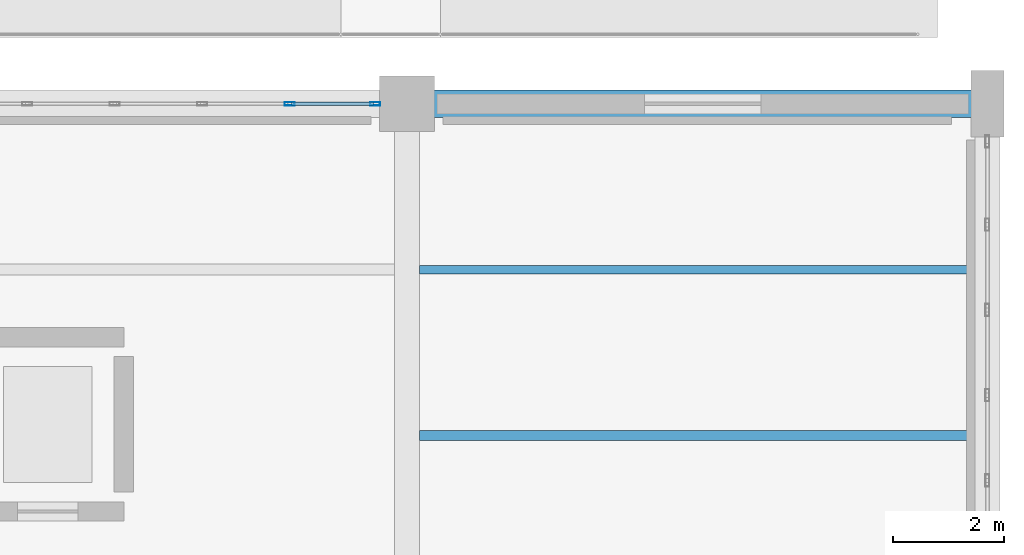
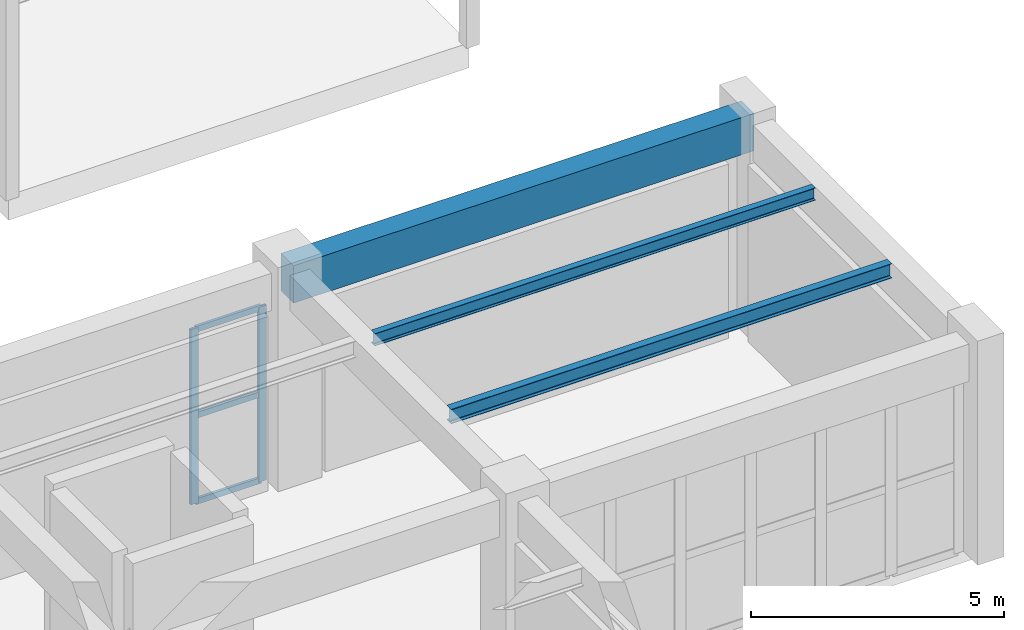
# One storey, part 84 of 140: 5 members, 3 beams, 1 element without a shape of its own.
"""IFC4 building model written with IfcOpenShell, lengths in metres."""

import ifcopenshell
import ifcopenshell.guid

model = None  # the IFC model being written
_history = None  # IfcOwnerHistory: only IFC2X3 demands one
_inside = {}  # id of a spatial element -> (the spatial element, [elements in it])
_under = {}  # id of a project, library or spatial element -> (it, [spatial elements below it])
_declared = {}  # id of a project -> (the project, [libraries it declares])
_typed = {}  # id of a type object -> (the type object, [elements of that type])
_made_of = {}  # id of a material, layer set ... -> (it, [elements and type objects made of it])


def new_model(schema):
    """Start an empty IFC model of exactly this schema.

    Asked for "IFC4X3", IfcOpenShell would pick the latest addendum, in which some entities
    have other attributes; the version numbers below select the first issue.
    IFC2X3 requires an IfcOwnerHistory on every rooted entity: one is made here for all.
    """
    global model, _history
    if schema == "IFC4X3":
        model = ifcopenshell.file(schema_version=(4, 3, 0, 0))
    else:
        model = ifcopenshell.file(schema=schema)
    _inside.clear()
    _under.clear()
    _declared.clear()
    _typed.clear()
    _made_of.clear()
    _history = None
    if model.schema == "IFC2X3":
        org = make("IfcOrganization", Name="unknown")
        user = make(
            "IfcPersonAndOrganization",
            ThePerson=make("IfcPerson", FamilyName="unknown"),
            TheOrganization=org,
        )
        app = make(
            "IfcApplication",
            ApplicationDeveloper=org,
            Version="unknown",
            ApplicationFullName="unknown",
            ApplicationIdentifier="unknown",
        )
        _history = make(
            "IfcOwnerHistory",
            OwningUser=user,
            OwningApplication=app,
            ChangeAction="ADDED",
            CreationDate=0,
        )
    return model


def make(cls, **values):
    """One entity of the class cls with the attributes given. An attribute that is None is left unset."""
    return model.create_entity(
        cls, **{name: value for name, value in values.items() if value is not None}
    )


def rooted(cls, **values):
    """An entity with a GlobalId (a new one), such as an element, a storey or a relation."""
    return make(cls, GlobalId=ifcopenshell.guid.new(), OwnerHistory=_history, **values)


def si_unit(unit_type, name, prefix=None):
    """IfcSIUnit, for example si_unit("LENGTHUNIT", "METRE", prefix="MILLI")."""
    return make("IfcSIUnit", UnitType=unit_type, Prefix=prefix, Name=name)


def assignment(units):
    """IfcUnitAssignment: the units of a project."""
    return None if units is None else make("IfcUnitAssignment", Units=units)


def point(xyz):
    """IfcCartesianPoint."""
    return None if xyz is None else make("IfcCartesianPoint", Coordinates=xyz)


def direction(xyz):
    """IfcDirection."""
    return None if xyz is None else make("IfcDirection", DirectionRatios=xyz)


def frame(location, z_axis=None, x_axis=None):
    """IfcAxis2Placement3D, a coordinate frame: its origin and axes. An axis left out is left unset."""
    return make(
        "IfcAxis2Placement3D",
        Location=point(location),
        Axis=direction(z_axis),
        RefDirection=direction(x_axis),
    )


def frame_2d(location, x_axis=None):
    """IfcAxis2Placement2D, a coordinate frame in the plane: its origin and x axis."""
    return make(
        "IfcAxis2Placement2D", Location=point(location), RefDirection=direction(x_axis)
    )


def origin():
    """The frame at (0, 0, 0) with its axes left unset."""
    return frame((0.0, 0.0, 0.0))


def origin_2d():
    """The frame at (0, 0) in the plane with its x axis left unset."""
    return frame_2d((0.0, 0.0))


def place(relative_to, where):
    """IfcLocalPlacement: puts the frame where relative to a parent placement (None: the world)."""
    return make(
        "IfcLocalPlacement", PlacementRelTo=relative_to, RelativePlacement=where
    )


def context(
    kind, dimensions, precision=None, world=None, true_north=None, identifier=None
):
    """IfcGeometricRepresentationContext, for example the 3D "Model" context."""
    return make(
        "IfcGeometricRepresentationContext",
        ContextIdentifier=identifier,
        ContextType=kind,
        CoordinateSpaceDimension=dimensions,
        Precision=precision,
        WorldCoordinateSystem=world,
        TrueNorth=true_north,
    )


def subcontext(parent, identifier, kind, view, scale=None):
    """IfcGeometricRepresentationSubContext, for example "Body" below "Model"."""
    return make(
        "IfcGeometricRepresentationSubContext",
        ContextIdentifier=identifier,
        ContextType=kind,
        ParentContext=parent,
        TargetScale=scale,
        TargetView=view,
    )


def project(units=None, contexts=None):
    """IfcProject with its units and contexts."""
    return rooted(
        "IfcProject",
        Name="project",
        RepresentationContexts=contexts,
        UnitsInContext=assignment(units),
    )


def spatial(cls, under=None, at=None, **own):
    """A site, building, storey or space (cls), placed at a placement, below another one or the project."""
    s = rooted(cls, ObjectPlacement=at, **own)
    if under is not None:
        _under.setdefault(under.id(), (under, []))[1].append(s)
    return s


def profile(cls, at=None, kind="AREA", **sizes):
    """A parametric profile (cls). Its sizes go by their IFC names, for example OverallWidth=200.0."""
    return make(cls, ProfileType=kind, Position=at, **sizes)


def rectangle(**sizes):
    """IfcRectangleProfileDef."""
    return profile("IfcRectangleProfileDef", **sizes)


def hollow_rectangle(**sizes):
    """IfcRectangleHollowProfileDef."""
    return profile("IfcRectangleHollowProfileDef", **sizes)


def i_section(**sizes):
    """IfcIShapeProfileDef."""
    return profile("IfcIShapeProfileDef", **sizes)


def extrude(swept, where, along, depth):
    """IfcExtrudedAreaSolid: the profile swept, set in the frame where, extruded along a direction by depth."""
    return make(
        "IfcExtrudedAreaSolid",
        SweptArea=swept,
        Position=where,
        ExtrudedDirection=direction(along),
        Depth=depth,
    )


def shape(context_of_items, identifier, shape_type, items):
    """IfcShapeRepresentation: the items that make up one representation, for example the "Body"."""
    return make(
        "IfcShapeRepresentation",
        ContextOfItems=context_of_items,
        RepresentationIdentifier=identifier,
        RepresentationType=shape_type,
        Items=items,
    )


def material(Name=None, Category=None):
    """IfcMaterial."""
    return make("IfcMaterial", Name=Name, Category=Category)


def material_profile(
    of_material, cross_section, Name=None, Category=None, Priority=None
):
    """IfcMaterialProfile: a cross section and its material."""
    return make(
        "IfcMaterialProfile",
        Name=Name,
        Material=of_material,
        Profile=cross_section,
        Priority=Priority,
        Category=Category,
    )


def profile_set(profiles, Name=None, composite=None):
    """IfcMaterialProfileSet."""
    return make(
        "IfcMaterialProfileSet",
        Name=Name,
        MaterialProfiles=profiles,
        CompositeProfile=composite,
    )


def made_of(thing, what):
    """Note that an element or type object is made of a material, layer set ...; save() writes the relation."""
    if what is not None:
        _made_of.setdefault(what.id(), (what, []))[1].append(thing)
    return thing


def type_object(cls, material=None, **own):
    """A type object (cls), such as IfcWallType, which elements share."""
    return made_of(rooted(cls, **own), material)


def element(
    cls,
    number,
    at=None,
    inside=None,
    cuts=None,
    type_object=None,
    material=None,
    context=None,
    identifier="Body",
    shape_type=None,
    held_by="IfcProductDefinitionShape",
    body=None,
    shapes=None,
    **own,
):
    """One element of the class cls, such as IfcWall. Its Tag is "e" and its number.

    at: its placement. inside: the storey or other place that contains it. cuts: it is an
    opening in that element (IfcRelVoidsElement). A single representation is given by context,
    identifier, shape_type and body (its items); several are given by shapes. held_by: the class
    of the entity that holds the representations. save() writes the other relations.
    """
    e = rooted(cls, Tag="e%d" % number, ObjectPlacement=at, **own)
    if body is not None:
        shapes = [shape(context, identifier, shape_type, body)]
    if shapes is not None:
        e.Representation = make(held_by, Representations=shapes)
    if inside is not None:
        _inside.setdefault(inside.id(), (inside, []))[1].append(e)
    if cuts is not None:
        rooted(
            "IfcRelVoidsElement", RelatingBuildingElement=cuts, RelatedOpeningElement=e
        )
    if type_object is not None:
        _typed.setdefault(type_object.id(), (type_object, []))[1].append(e)
    return made_of(e, material)


def aggregate(whole, parts):
    """IfcRelAggregates: a whole, such as a stair, and the parts it consists of."""
    return rooted("IfcRelAggregates", RelatingObject=whole, RelatedObjects=parts)


def save(model, path):
    """Write the relations noted so far, then the file.

    IfcRelAggregates (storeys below a building ...), IfcRelContainedInSpatialStructure (elements
    in a storey), IfcRelDefinesByType, IfcRelAssociatesMaterial and IfcRelDeclares: one each for
    every whole, place, type object, material and project.
    """
    for whole, parts in _under.values():
        aggregate(whole, parts)
    for where, things in _inside.values():
        rooted(
            "IfcRelContainedInSpatialStructure",
            RelatedElements=things,
            RelatingStructure=where,
        )
    for kind, things in _typed.values():
        rooted("IfcRelDefinesByType", RelatedObjects=things, RelatingType=kind)
    for what, things in _made_of.values():
        rooted("IfcRelAssociatesMaterial", RelatedObjects=things, RelatingMaterial=what)
    for by, libraries in _declared.values():
        rooted("IfcRelDeclares", RelatingContext=by, RelatedDefinitions=libraries)
    model.write(path)


model = new_model("IFC4")

# Units and contexts
model_context = context("Model", 3, precision=1e-05, world=origin(), true_north=direction((0.0, 1.0)))
body_context = subcontext(model_context, "Body", "Model", "MODEL_VIEW")
ifc_project = project(units=[si_unit("LENGTHUNIT", "METRE"), si_unit("AREAUNIT", "SQUARE_METRE"), si_unit("VOLUMEUNIT", "CUBIC_METRE"), si_unit("PLANEANGLEUNIT", "RADIAN"), si_unit("MASSUNIT", "GRAM", prefix="KILO")], contexts=[model_context])

# Site, building, storey
site_placement = place(None, origin())
site = spatial("IfcSite", under=ifc_project, at=site_placement, CompositionType="ELEMENT")
building_placement = place(site_placement, origin())
building = spatial("IfcBuilding", under=site, at=building_placement, Name="Haizhuo Lancet Aquarium", CompositionType="ELEMENT")
storey_placement = place(building_placement, origin())
storey = spatial("IfcBuildingStorey", under=building, at=storey_placement, Name="L00", CompositionType="ELEMENT", Elevation=0.0)

# Beam
ifc_material_1 = material(Name="Concrete C40/50", Category="concrete")
ifc_material_profile_1 = material_profile(ifc_material_1, rectangle(XDim=0.5, YDim=0.89990234375, at=origin_2d()), Name="RC-BM 500x900")
ifc_profile_set_1 = profile_set([ifc_material_profile_1], Name="Concrete C40/50")
beam_type_1 = type_object("IfcBeamType", Name="BM-RC-500x900", PredefinedType="BEAM", material=ifc_profile_set_1)
beam_1_placement = place(storey_placement, frame((72.0, -9.0, 4.669921875), z_axis=(1.0, 0.0, 0.0), x_axis=(0.0, 1.0, 0.0)))
element("IfcBeam", 1, at=beam_1_placement, inside=storey, type_object=beam_type_1, Name="L00 V3 primary girder BM-L00-V3-034", PredefinedType="BEAM", context=body_context, shape_type="SweptSolid", body=[
    extrude(rectangle(XDim=0.5, YDim=0.89990234375, at=origin_2d()), origin(), (0.0, 0.0, 1.0), 10.5),
])

# Curtain wall, members
ifc_material_2 = material(Name="Aluminium 6063-T6", Category="aluminium")
curtain_wall_type = type_object("IfcCurtainWallType", Name="CWO-7910x4220", PredefinedType="NOTDEFINED", material=ifc_material_2)
curtain_wall_placement = place(storey_placement, origin())
curtain_wall = element("IfcCurtainWall", 2, at=curtain_wall_placement, inside=storey, type_object=curtain_wall_type, Name="L00 curtain wall CW-V3-L00-031", PredefinedType="NOTDEFINED")
ifc_material_profile_2 = material_profile(ifc_material_2, hollow_rectangle(XDim=0.06494140625, YDim=0.179931640625, WallThickness=0.00390625, at=origin_2d()), Name="ALU-M 65x180x4")
ifc_profile_set_2 = profile_set([ifc_material_profile_2], Name="Aluminium 6063-T6")
member_type_1 = type_object("IfcMemberType", Name="CW-MUL-1", PredefinedType="MULLION", material=ifc_profile_set_2)
member_1_placement = place(storey_placement, frame((69.873046875, -9.0, 0.0), z_axis=(0.0, 0.0, 1.0), x_axis=(0.0, 1.0, 0.0)))
member_1 = element("IfcMember", 3, at=member_1_placement, type_object=member_type_1, Name="CWO-79x42 mullion 5", PredefinedType="MULLION", context=body_context, shape_type="SweptSolid", body=[
    extrude(hollow_rectangle(XDim=0.06494140625, YDim=0.179931640625, WallThickness=0.00390625, at=origin_2d()), origin(), (0.0, 0.0, 1.0), 4.219970703125),
])
member_2_placement = place(storey_placement, frame((71.422119140625, -9.0, 0.0), z_axis=(0.0, 0.0, 1.0), x_axis=(0.0, 1.0, 0.0)))
member_2 = element("IfcMember", 4, at=member_2_placement, type_object=member_type_1, Name="CWO-79x42 mullion 6", PredefinedType="MULLION", context=body_context, shape_type="SweptSolid", body=[
    extrude(hollow_rectangle(XDim=0.06494140625, YDim=0.179931640625, WallThickness=0.00390625, at=origin_2d()), origin(), (0.0, 0.0, 1.0), 4.219970703125),
])
ifc_material_profile_3 = material_profile(ifc_material_2, hollow_rectangle(XDim=0.06494140625, YDim=0.139892578125, WallThickness=0.00390625, at=origin_2d()), Name="ALU-T 65x140x4")
ifc_profile_set_3 = profile_set([ifc_material_profile_3], Name="Aluminium 6063-T6")
member_type_2 = type_object("IfcMemberType", Name="CW-TRN-1", PredefinedType="NOTDEFINED", material=ifc_profile_set_3)
member_3_placement = place(storey_placement, frame((69.906005859375, -9.0, 0.032958984375), z_axis=(1.0, 0.0, 0.0), x_axis=(0.0, 1.0, 0.0)))
member_3 = element("IfcMember", 5, at=member_3_placement, type_object=member_type_2, Name="CWO-79x42 transom 5.1", ObjectType="TRANSOM", PredefinedType="USERDEFINED", context=body_context, shape_type="SweptSolid", body=[
    extrude(hollow_rectangle(XDim=0.06494140625, YDim=0.139892578125, WallThickness=0.00390625, at=origin_2d()), origin(), (0.0, 0.0, 1.0), 1.48388671875),
])
member_4_placement = place(storey_placement, frame((69.906005859375, -9.0, 2.110107421875), z_axis=(1.0, 0.0, 0.0), x_axis=(0.0, 1.0, 0.0)))
member_4 = element("IfcMember", 6, at=member_4_placement, type_object=member_type_2, Name="CWO-79x42 transom 5.2", ObjectType="TRANSOM", PredefinedType="USERDEFINED", context=body_context, shape_type="SweptSolid", body=[
    extrude(hollow_rectangle(XDim=0.06494140625, YDim=0.139892578125, WallThickness=0.00390625, at=origin_2d()), origin(), (0.0, 0.0, 1.0), 1.48388671875),
])
member_5_placement = place(storey_placement, frame((69.906005859375, -9.0, 4.18798828125), z_axis=(1.0, 0.0, 0.0), x_axis=(0.0, 1.0, 0.0)))
member_5 = element("IfcMember", 7, at=member_5_placement, type_object=member_type_2, Name="CWO-79x42 transom 5.3", ObjectType="TRANSOM", PredefinedType="USERDEFINED", context=body_context, shape_type="SweptSolid", body=[
    extrude(hollow_rectangle(XDim=0.06494140625, YDim=0.139892578125, WallThickness=0.00390625, at=origin_2d()), origin(), (0.0, 0.0, 1.0), 1.48388671875),
])
aggregate(curtain_wall, [member_1, member_2, member_3, member_4, member_5])

# Beams
ifc_material_3 = material(Name="Steel S355", Category="steel")
ifc_material_profile_4 = material_profile(ifc_material_3, i_section(OverallWidth=0.14990234375, OverallDepth=0.300048828125, WebThickness=0.006591796875, FlangeThickness=0.009033203125, FilletRadius=0.012939453125, at=origin_2d()), Name="HN 300x150x6.5x9")
ifc_profile_set_4 = profile_set([ifc_material_profile_4], Name="Steel S355")
beam_type_2 = type_object("IfcBeamType", Name="JST-ST-HN300", PredefinedType="JOIST", material=ifc_profile_set_4)
beam_2_placement = place(storey_placement, frame((72.22509765625, -12.0, 4.969970703125), z_axis=(1.0, 0.0, 0.0), x_axis=(0.0, 1.0, 0.0)))
element("IfcBeam", 8, at=beam_2_placement, inside=storey, type_object=beam_type_2, Name="L00 V3 secondary floor joist 23", PredefinedType="JOIST", context=body_context, shape_type="SweptSolid", body=[
    extrude(i_section(OverallWidth=0.14990234375, OverallDepth=0.300048828125, WebThickness=0.006591796875, FlangeThickness=0.009033203125, FilletRadius=0.012939453125, at=origin_2d()), origin(), (0.0, 0.0, 1.0), 10.0498046875),
])
ifc_material_profile_5 = material_profile(ifc_material_3, i_section(OverallWidth=0.175048828125, OverallDepth=0.35009765625, WebThickness=0.007080078125, FlangeThickness=0.010986328125, FilletRadius=0.013916015625, at=origin_2d()), Name="HN 350x175x7x11")
ifc_profile_set_5 = profile_set([ifc_material_profile_5], Name="Steel S355")
beam_type_3 = type_object("IfcBeamType", Name="JST-ST-HN350", PredefinedType="JOIST", material=ifc_profile_set_5)
beam_3_placement = place(storey_placement, frame((72.22509765625, -15.0, 4.945068359375), z_axis=(1.0, 0.0, 0.0), x_axis=(0.0, 1.0, 0.0)))
element("IfcBeam", 9, at=beam_3_placement, inside=storey, type_object=beam_type_3, Name="L00 V3 secondary floor joist 22", PredefinedType="JOIST", context=body_context, shape_type="SweptSolid", body=[
    extrude(i_section(OverallWidth=0.175048828125, OverallDepth=0.35009765625, WebThickness=0.007080078125, FlangeThickness=0.010986328125, FilletRadius=0.013916015625, at=origin_2d()), origin(), (0.0, 0.0, 1.0), 10.0498046875),
])

save(model, "model.ifc")
